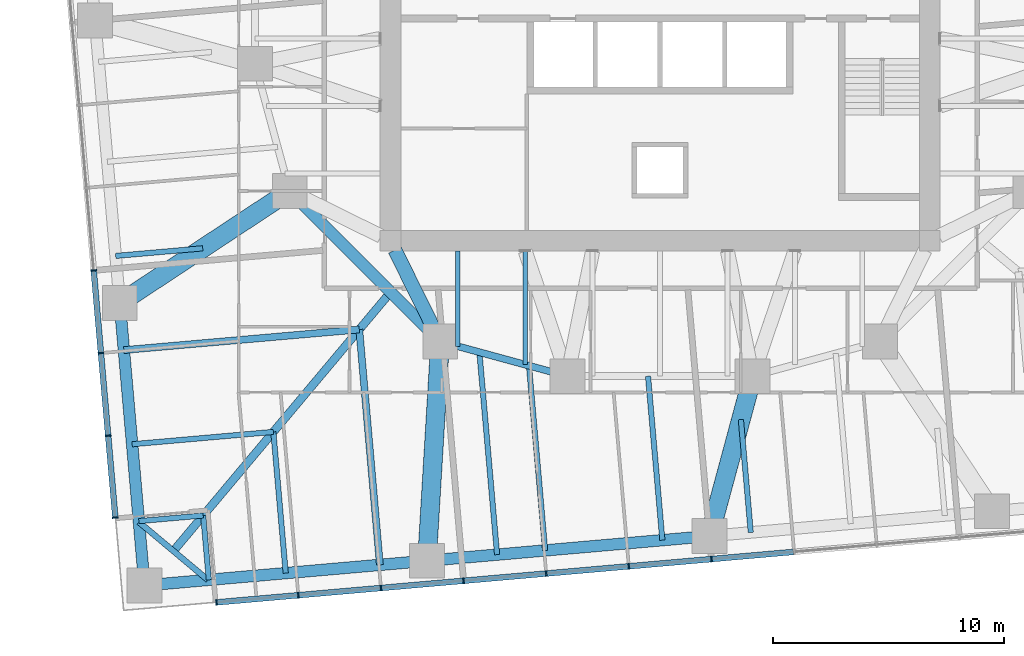
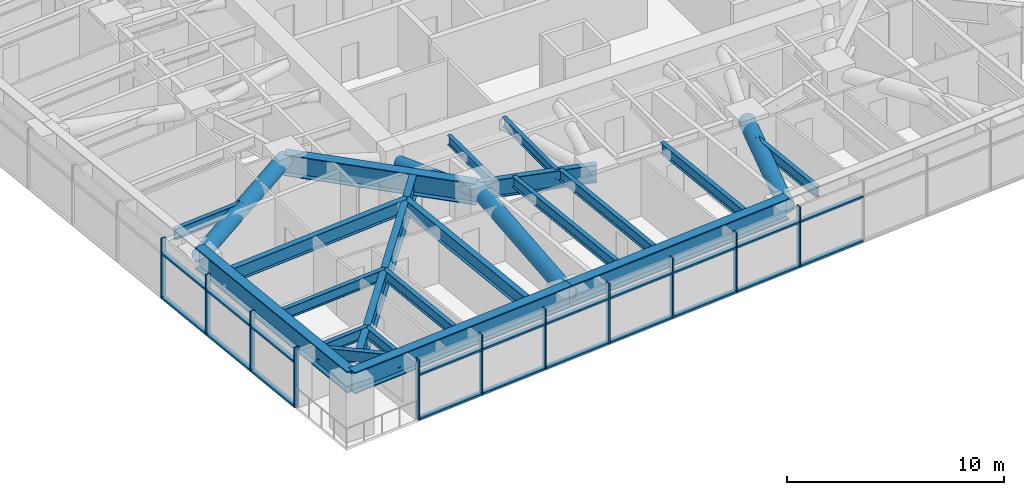
# One storey, part 2 of 18: 35 members, 20 beams, 2 elements without a shape of their own.
"""IFC4 building model written with IfcOpenShell, lengths in metres."""

from ifc_helpers import new_model, si_unit, direction, frame, origin, origin_2d, place, context, subcontext, project, spatial, rectangle, hollow_circle, i_section, extrude, material, material_profile, profile_set, type_object, element, aggregate, save


model = new_model("IFC4")

# Units and contexts
model_context = context("Model", 3, precision=1e-05, world=origin(), true_north=direction((0.0, 1.0)))
body_context = subcontext(model_context, "Body", "Model", "MODEL_VIEW")
ifc_project = project(units=[si_unit("LENGTHUNIT", "METRE"), si_unit("AREAUNIT", "SQUARE_METRE"), si_unit("VOLUMEUNIT", "CUBIC_METRE"), si_unit("PLANEANGLEUNIT", "RADIAN"), si_unit("MASSUNIT", "GRAM", prefix="KILO")], contexts=[model_context])

# Site, building, storey
site_placement = place(None, origin())
site = spatial("IfcSite", under=ifc_project, at=site_placement, CompositionType="ELEMENT")
building_placement = place(site_placement, origin())
building = spatial("IfcBuilding", under=site, at=building_placement, Name="Torsade Residences", CompositionType="ELEMENT")
storey_placement = place(building_placement, frame((0.0, 0.0, 71.0)))
storey = spatial("IfcBuildingStorey", under=building, at=storey_placement, Name="L19", CompositionType="ELEMENT", Elevation=71.0)

# Beams
ifc_material_1 = material(Name="Steel grade 300", Category="steel")
ifc_material_profile_1 = material_profile(ifc_material_1, i_section(OverallWidth=0.35009765625, OverallDepth=1.199951171875, WebThickness=0.01611328125, FlangeThickness=0.028076171875, at=origin_2d()), Name="1200WB278")
ifc_profile_set_1 = profile_set([ifc_material_profile_1], Name="Steel grade 300")
beam_type_1 = type_object("IfcBeamType", Name="CORNER GIRDER 1200WB278", PredefinedType="BEAM", material=ifc_profile_set_1)
beam_1_placement = place(storey_placement, frame((18.978515625, 4.947509765625, 2.60009765625), z_axis=(0.642785419012, 0.766046281307, 0.0), x_axis=(-0.766046281307, 0.642785419012, 0.0)))
element("IfcBeam", 1, at=beam_1_placement, inside=storey, type_object=beam_type_1, Name="Corner girder 01 L20", PredefinedType="BEAM", context=body_context, shape_type="SweptSolid", body=[
    extrude(i_section(OverallWidth=0.35009765625, OverallDepth=1.199951171875, WebThickness=0.01611328125, FlangeThickness=0.028076171875, at=origin_2d()), origin(), (0.0, 0.0, 1.0), 14.603515625),
])
ifc_material_2 = material(Name="Steel grade 300", Category="steel")
ifc_material_profile_2 = material_profile(ifc_material_2, i_section(OverallWidth=0.25, OverallDepth=0.699951171875, WebThickness=0.010009765625, FlangeThickness=0.02001953125, at=origin_2d()), Name="700WB130")
ifc_profile_set_2 = profile_set([ifc_material_profile_2], Name="Steel grade 300")
beam_type_2 = type_object("IfcBeamType", Name="CORNER TRIMMER 700WB130", PredefinedType="BEAM", material=ifc_profile_set_2)
beam_2_placement = place(storey_placement, frame((20.468017578125, 3.697509765625, 2.85009765625), z_axis=(-0.766030001697, 0.642804819911, 0.0), x_axis=(-0.642804819911, -0.766030001697, 0.0)))
element("IfcBeam", 2, at=beam_2_placement, inside=storey, type_object=beam_type_2, Name="Corner trimmer 01 L20", PredefinedType="BEAM", context=body_context, shape_type="SweptSolid", body=[
    extrude(i_section(OverallWidth=0.25, OverallDepth=0.699951171875, WebThickness=0.010009765625, FlangeThickness=0.02001953125, at=origin_2d()), origin(), (0.0, 0.0, 1.0), 3.88916015625),
])

# Curtain wall, members
ifc_material_3 = material(Name="Aluminium and glass", Category="aluminium")
curtain_wall_type = type_object("IfcCurtainWallType", Name="FRITTED GLASS CURTAIN WALL LOW ZONE", PredefinedType="NOTDEFINED", material=ifc_material_3)
curtain_wall_1_placement = place(storey_placement, origin())
curtain_wall_1 = element("IfcCurtainWall", 3, at=curtain_wall_1_placement, inside=storey, type_object=curtain_wall_type, Name="Curtain wall L19 face 1", PredefinedType="NOTDEFINED")
ifc_material_4 = material(Name="Aluminium mullion", Category="aluminium")
ifc_material_profile_3 = material_profile(ifc_material_4, rectangle(XDim=0.25, YDim=0.06494140625, at=origin_2d()), Name="CURTAIN WALL MULLION 250x65")
ifc_profile_set_3 = profile_set([ifc_material_profile_3], Name="Aluminium mullion")
member_type_1 = type_object("IfcMemberType", Name="CURTAIN WALL MULLION 250x65", PredefinedType="MULLION", material=ifc_profile_set_3)
member_1_placement = place(storey_placement, frame((20.836669921875, 2.72607421875, 0.0), z_axis=(0.0, 0.0, 1.0), x_axis=(-0.087155744208, 0.996194697964, 0.0)))
member_1 = element("IfcMember", 4, at=member_1_placement, type_object=member_type_1, Name="Mullion 1", PredefinedType="MULLION", context=body_context, shape_type="SweptSolid", body=[
    extrude(rectangle(XDim=0.25, YDim=0.06494140625, at=origin_2d()), origin(), (0.0, 0.0, 1.0), 3.39990234375),
])
member_2_placement = place(storey_placement, frame((24.3740234375, 3.035400390625, 0.0), z_axis=(0.0, 0.0, 1.0), x_axis=(-0.087155744208, 0.996194697964, 0.0)))
member_2 = element("IfcMember", 5, at=member_2_placement, type_object=member_type_1, Name="Mullion 2", PredefinedType="MULLION", context=body_context, shape_type="SweptSolid", body=[
    extrude(rectangle(XDim=0.25, YDim=0.06494140625, at=origin_2d()), origin(), (0.0, 0.0, 1.0), 3.39990234375),
])
member_3_placement = place(storey_placement, frame((27.943603515625, 3.347900390625, 0.0), z_axis=(0.0, 0.0, 1.0), x_axis=(-0.087155744208, 0.996194697964, 0.0)))
member_3 = element("IfcMember", 6, at=member_3_placement, type_object=member_type_1, Name="Mullion 3", PredefinedType="MULLION", context=body_context, shape_type="SweptSolid", body=[
    extrude(rectangle(XDim=0.25, YDim=0.06494140625, at=origin_2d()), origin(), (0.0, 0.0, 1.0), 3.39990234375),
])
member_4_placement = place(storey_placement, frame((31.513427734375, 3.66015625, 0.0), z_axis=(0.0, 0.0, 1.0), x_axis=(-0.087155744208, 0.996194697964, 0.0)))
member_4 = element("IfcMember", 7, at=member_4_placement, type_object=member_type_1, Name="Mullion 4", PredefinedType="MULLION", context=body_context, shape_type="SweptSolid", body=[
    extrude(rectangle(XDim=0.25, YDim=0.06494140625, at=origin_2d()), origin(), (0.0, 0.0, 1.0), 3.39990234375),
])
member_5_placement = place(storey_placement, frame((35.0830078125, 3.972412109375, 0.0), z_axis=(0.0, 0.0, 1.0), x_axis=(-0.087155744208, 0.996194697964, 0.0)))
member_5 = element("IfcMember", 8, at=member_5_placement, type_object=member_type_1, Name="Mullion 5", PredefinedType="MULLION", context=body_context, shape_type="SweptSolid", body=[
    extrude(rectangle(XDim=0.25, YDim=0.06494140625, at=origin_2d()), origin(), (0.0, 0.0, 1.0), 3.39990234375),
])
member_6_placement = place(storey_placement, frame((38.65283203125, 4.28466796875, 0.0), z_axis=(0.0, 0.0, 1.0), x_axis=(-0.087155744208, 0.996194697964, 0.0)))
member_6 = element("IfcMember", 9, at=member_6_placement, type_object=member_type_1, Name="Mullion 6", PredefinedType="MULLION", context=body_context, shape_type="SweptSolid", body=[
    extrude(rectangle(XDim=0.25, YDim=0.06494140625, at=origin_2d()), origin(), (0.0, 0.0, 1.0), 3.39990234375),
])
member_7_placement = place(storey_placement, frame((42.222412109375, 4.596923828125, 0.0), z_axis=(0.0, 0.0, 1.0), x_axis=(-0.087155744208, 0.996194697964, 0.0)))
member_7 = element("IfcMember", 10, at=member_7_placement, type_object=member_type_1, Name="Mullion 7", PredefinedType="MULLION", context=body_context, shape_type="SweptSolid", body=[
    extrude(rectangle(XDim=0.25, YDim=0.06494140625, at=origin_2d()), origin(), (0.0, 0.0, 1.0), 3.39990234375),
])

curtain_wall_2_placement = place(storey_placement, origin())
curtain_wall_2 = element("IfcCurtainWall", 11, at=curtain_wall_2_placement, inside=storey, type_object=curtain_wall_type, Name="Curtain wall L19 face 10", PredefinedType="NOTDEFINED")
member_8_placement = place(storey_placement, frame((15.533935546875, 17.068359375, 0.0), z_axis=(0.0, 0.0, 1.0), x_axis=(0.996194697964, 0.087155744208, 0.0)))
member_8 = element("IfcMember", 12, at=member_8_placement, type_object=member_type_1, Name="Mullion 10", PredefinedType="MULLION", context=body_context, shape_type="SweptSolid", body=[
    extrude(rectangle(XDim=0.25, YDim=0.06494140625, at=origin_2d()), origin(), (0.0, 0.0, 1.0), 3.39990234375),
])
member_9_placement = place(storey_placement, frame((15.84619140625, 13.498779296875, 0.0), z_axis=(0.0, 0.0, 1.0), x_axis=(0.996194697964, 0.087155744208, 0.0)))
member_9 = element("IfcMember", 13, at=member_9_placement, type_object=member_type_1, Name="Mullion 11", PredefinedType="MULLION", context=body_context, shape_type="SweptSolid", body=[
    extrude(rectangle(XDim=0.25, YDim=0.06494140625, at=origin_2d()), origin(), (0.0, 0.0, 1.0), 3.39990234375),
])
member_10_placement = place(storey_placement, frame((16.15869140625, 9.928955078125, 0.0), z_axis=(0.0, 0.0, 1.0), x_axis=(0.996194697964, 0.087155744208, 0.0)))
member_10 = element("IfcMember", 14, at=member_10_placement, type_object=member_type_1, Name="Mullion 12", PredefinedType="MULLION", context=body_context, shape_type="SweptSolid", body=[
    extrude(rectangle(XDim=0.25, YDim=0.06494140625, at=origin_2d()), origin(), (0.0, 0.0, 1.0), 3.39990234375),
])
member_11_placement = place(storey_placement, frame((16.468017578125, 6.3916015625, 0.0), z_axis=(0.0, 0.0, 1.0), x_axis=(0.996194697964, 0.087155744208, 0.0)))
member_11 = element("IfcMember", 15, at=member_11_placement, type_object=member_type_1, Name="Mullion 13", PredefinedType="MULLION", context=body_context, shape_type="SweptSolid", body=[
    extrude(rectangle(XDim=0.25, YDim=0.06494140625, at=origin_2d()), origin(), (0.0, 0.0, 1.0), 3.39990234375),
])

# Member
ifc_material_5 = material(Name="Aluminium transom", Category="aluminium")
ifc_material_profile_4 = material_profile(ifc_material_5, rectangle(XDim=0.25, YDim=0.10009765625, at=origin_2d()), Name="CURTAIN WALL TRANSOM 250x100")
ifc_profile_set_4 = profile_set([ifc_material_profile_4], Name="Aluminium transom")
member_type_2 = type_object("IfcMemberType", Name="CURTAIN WALL TRANSOM 250x100", PredefinedType="USERDEFINED", material=ifc_profile_set_4)
member_12_placement = place(storey_placement, frame((20.869140625, 2.728759765625, 0.050048828125), z_axis=(0.996190751941, 0.0872008357, 0.0), x_axis=(-0.0872008357, 0.996190751941, 0.0)))
member_12 = element("IfcMember", 16, at=member_12_placement, type_object=member_type_2, Name="Transom 1.1", ObjectType="TRANSOM", PredefinedType="USERDEFINED", context=body_context, shape_type="SweptSolid", body=[
    extrude(rectangle(XDim=0.25, YDim=0.10009765625, at=origin_2d()), origin(), (0.0, 0.0, 1.0), 3.485595703125),
])

member_13_placement = place(storey_placement, frame((20.869140625, 2.728759765625, 2.550048828125), z_axis=(0.996190751941, 0.0872008357, 0.0), x_axis=(-0.0872008357, 0.996190751941, 0.0)))
member_13 = element("IfcMember", 17, at=member_13_placement, type_object=member_type_2, Name="Transom 1.2", ObjectType="TRANSOM", PredefinedType="USERDEFINED", context=body_context, shape_type="SweptSolid", body=[
    extrude(rectangle(XDim=0.25, YDim=0.10009765625, at=origin_2d()), origin(), (0.0, 0.0, 1.0), 3.485595703125),
])

member_14_placement = place(storey_placement, frame((24.40625, 3.038330078125, 0.050048828125), z_axis=(0.996195148363, 0.08715059597, 0.0), x_axis=(-0.08715059597, 0.996195148363, 0.0)))
member_14 = element("IfcMember", 18, at=member_14_placement, type_object=member_type_2, Name="Transom 2.1", ObjectType="TRANSOM", PredefinedType="USERDEFINED", context=body_context, shape_type="SweptSolid", body=[
    extrude(rectangle(XDim=0.25, YDim=0.10009765625, at=origin_2d()), origin(), (0.0, 0.0, 1.0), 3.5185546875),
])

member_15_placement = place(storey_placement, frame((24.40625, 3.038330078125, 2.550048828125), z_axis=(0.996195148363, 0.08715059597, 0.0), x_axis=(-0.08715059597, 0.996195148363, 0.0)))
member_15 = element("IfcMember", 19, at=member_15_placement, type_object=member_type_2, Name="Transom 2.2", ObjectType="TRANSOM", PredefinedType="USERDEFINED", context=body_context, shape_type="SweptSolid", body=[
    extrude(rectangle(XDim=0.25, YDim=0.10009765625, at=origin_2d()), origin(), (0.0, 0.0, 1.0), 3.5185546875),
])

member_16_placement = place(storey_placement, frame((27.97607421875, 3.3505859375, 0.050048828125), z_axis=(0.996194621295, 0.087156620531, 0.0), x_axis=(-0.087156620531, 0.996194621295, 0.0)))
member_16 = element("IfcMember", 20, at=member_16_placement, type_object=member_type_2, Name="Transom 3.1", ObjectType="TRANSOM", PredefinedType="USERDEFINED", context=body_context, shape_type="SweptSolid", body=[
    extrude(rectangle(XDim=0.25, YDim=0.10009765625, at=origin_2d()), origin(), (0.0, 0.0, 1.0), 3.518310546875),
])

member_17_placement = place(storey_placement, frame((27.97607421875, 3.3505859375, 2.550048828125), z_axis=(0.996194621295, 0.087156620531, 0.0), x_axis=(-0.087156620531, 0.996194621295, 0.0)))
member_17 = element("IfcMember", 21, at=member_17_placement, type_object=member_type_2, Name="Transom 3.2", ObjectType="TRANSOM", PredefinedType="USERDEFINED", context=body_context, shape_type="SweptSolid", body=[
    extrude(rectangle(XDim=0.25, YDim=0.10009765625, at=origin_2d()), origin(), (0.0, 0.0, 1.0), 3.518310546875),
])

member_18_placement = place(storey_placement, frame((31.545654296875, 3.662841796875, 0.050048828125), z_axis=(0.996195148363, 0.08715059597, 0.0), x_axis=(-0.08715059597, 0.996195148363, 0.0)))
member_18 = element("IfcMember", 22, at=member_18_placement, type_object=member_type_2, Name="Transom 4.1", ObjectType="TRANSOM", PredefinedType="USERDEFINED", context=body_context, shape_type="SweptSolid", body=[
    extrude(rectangle(XDim=0.25, YDim=0.10009765625, at=origin_2d()), origin(), (0.0, 0.0, 1.0), 3.5185546875),
])

member_19_placement = place(storey_placement, frame((31.545654296875, 3.662841796875, 2.550048828125), z_axis=(0.996195148363, 0.08715059597, 0.0), x_axis=(-0.08715059597, 0.996195148363, 0.0)))
member_19 = element("IfcMember", 23, at=member_19_placement, type_object=member_type_2, Name="Transom 4.2", ObjectType="TRANSOM", PredefinedType="USERDEFINED", context=body_context, shape_type="SweptSolid", body=[
    extrude(rectangle(XDim=0.25, YDim=0.10009765625, at=origin_2d()), origin(), (0.0, 0.0, 1.0), 3.5185546875),
])

member_20_placement = place(storey_placement, frame((35.115478515625, 3.975341796875, 0.050048828125), z_axis=(0.996194621295, 0.087156620531, 0.0), x_axis=(-0.087156620531, 0.996194621295, 0.0)))
member_20 = element("IfcMember", 24, at=member_20_placement, type_object=member_type_2, Name="Transom 5.1", ObjectType="TRANSOM", PredefinedType="USERDEFINED", context=body_context, shape_type="SweptSolid", body=[
    extrude(rectangle(XDim=0.25, YDim=0.10009765625, at=origin_2d()), origin(), (0.0, 0.0, 1.0), 3.518310546875),
])

member_21_placement = place(storey_placement, frame((35.115478515625, 3.975341796875, 2.550048828125), z_axis=(0.996194621295, 0.087156620531, 0.0), x_axis=(-0.087156620531, 0.996194621295, 0.0)))
member_21 = element("IfcMember", 25, at=member_21_placement, type_object=member_type_2, Name="Transom 5.2", ObjectType="TRANSOM", PredefinedType="USERDEFINED", context=body_context, shape_type="SweptSolid", body=[
    extrude(rectangle(XDim=0.25, YDim=0.10009765625, at=origin_2d()), origin(), (0.0, 0.0, 1.0), 3.518310546875),
])

member_22_placement = place(storey_placement, frame((38.68505859375, 4.28759765625, 0.050048828125), z_axis=(0.996195148363, 0.08715059597, 0.0), x_axis=(-0.08715059597, 0.996195148363, 0.0)))
member_22 = element("IfcMember", 26, at=member_22_placement, type_object=member_type_2, Name="Transom 6.1", ObjectType="TRANSOM", PredefinedType="USERDEFINED", context=body_context, shape_type="SweptSolid", body=[
    extrude(rectangle(XDim=0.25, YDim=0.10009765625, at=origin_2d()), origin(), (0.0, 0.0, 1.0), 3.5185546875),
])

member_23_placement = place(storey_placement, frame((38.68505859375, 4.28759765625, 2.550048828125), z_axis=(0.996195148363, 0.08715059597, 0.0), x_axis=(-0.08715059597, 0.996195148363, 0.0)))
member_23 = element("IfcMember", 27, at=member_23_placement, type_object=member_type_2, Name="Transom 6.2", ObjectType="TRANSOM", PredefinedType="USERDEFINED", context=body_context, shape_type="SweptSolid", body=[
    extrude(rectangle(XDim=0.25, YDim=0.10009765625, at=origin_2d()), origin(), (0.0, 0.0, 1.0), 3.5185546875),
])

member_24_placement = place(storey_placement, frame((42.2548828125, 4.599853515625, 0.050048828125), z_axis=(0.996194621295, 0.087156620531, 0.0), x_axis=(-0.087156620531, 0.996194621295, 0.0)))
member_24 = element("IfcMember", 28, at=member_24_placement, type_object=member_type_2, Name="Transom 7.1", ObjectType="TRANSOM", PredefinedType="USERDEFINED", context=body_context, shape_type="SweptSolid", body=[
    extrude(rectangle(XDim=0.25, YDim=0.10009765625, at=origin_2d()), origin(), (0.0, 0.0, 1.0), 3.518310546875),
])

member_25_placement = place(storey_placement, frame((42.2548828125, 4.599853515625, 2.550048828125), z_axis=(0.996194621295, 0.087156620531, 0.0), x_axis=(-0.087156620531, 0.996194621295, 0.0)))
member_25 = element("IfcMember", 29, at=member_25_placement, type_object=member_type_2, Name="Transom 7.2", ObjectType="TRANSOM", PredefinedType="USERDEFINED", context=body_context, shape_type="SweptSolid", body=[
    extrude(rectangle(XDim=0.25, YDim=0.10009765625, at=origin_2d()), origin(), (0.0, 0.0, 1.0), 3.518310546875),
])

aggregate(curtain_wall_1, [member_1, member_2, member_3, member_4, member_5, member_6, member_7, member_12, member_13, member_14, member_15, member_16, member_17, member_18, member_19, member_20, member_21, member_22, member_23, member_24, member_25])

member_26_placement = place(storey_placement, frame((15.536865234375, 17.0361328125, 0.050048828125), z_axis=(0.08715059597, -0.996195148363, 0.0), x_axis=(0.996195148363, 0.08715059597, 0.0)))
member_26 = element("IfcMember", 30, at=member_26_placement, type_object=member_type_2, Name="Transom 10.1", ObjectType="TRANSOM", PredefinedType="USERDEFINED", context=body_context, shape_type="SweptSolid", body=[
    extrude(rectangle(XDim=0.25, YDim=0.10009765625, at=origin_2d()), origin(), (0.0, 0.0, 1.0), 3.5185546875),
])

member_27_placement = place(storey_placement, frame((15.536865234375, 17.0361328125, 2.550048828125), z_axis=(0.08715059597, -0.996195148363, 0.0), x_axis=(0.996195148363, 0.08715059597, 0.0)))
member_27 = element("IfcMember", 31, at=member_27_placement, type_object=member_type_2, Name="Transom 10.2", ObjectType="TRANSOM", PredefinedType="USERDEFINED", context=body_context, shape_type="SweptSolid", body=[
    extrude(rectangle(XDim=0.25, YDim=0.10009765625, at=origin_2d()), origin(), (0.0, 0.0, 1.0), 3.5185546875),
])

member_28_placement = place(storey_placement, frame((15.84912109375, 13.46630859375, 0.050048828125), z_axis=(0.087156620531, -0.996194621295, 0.0), x_axis=(0.996194621295, 0.087156620531, 0.0)))
member_28 = element("IfcMember", 32, at=member_28_placement, type_object=member_type_2, Name="Transom 11.1", ObjectType="TRANSOM", PredefinedType="USERDEFINED", context=body_context, shape_type="SweptSolid", body=[
    extrude(rectangle(XDim=0.25, YDim=0.10009765625, at=origin_2d()), origin(), (0.0, 0.0, 1.0), 3.518310546875),
])

member_29_placement = place(storey_placement, frame((15.84912109375, 13.46630859375, 2.550048828125), z_axis=(0.087156620531, -0.996194621295, 0.0), x_axis=(0.996194621295, 0.087156620531, 0.0)))
member_29 = element("IfcMember", 33, at=member_29_placement, type_object=member_type_2, Name="Transom 11.2", ObjectType="TRANSOM", PredefinedType="USERDEFINED", context=body_context, shape_type="SweptSolid", body=[
    extrude(rectangle(XDim=0.25, YDim=0.10009765625, at=origin_2d()), origin(), (0.0, 0.0, 1.0), 3.518310546875),
])

member_30_placement = place(storey_placement, frame((16.161376953125, 9.896728515625, 0.050048828125), z_axis=(0.08719475177, -0.996191284475, 0.0), x_axis=(0.996191284475, 0.08719475177, 0.0)))
member_30 = element("IfcMember", 34, at=member_30_placement, type_object=member_type_2, Name="Transom 12.1", ObjectType="TRANSOM", PredefinedType="USERDEFINED", context=body_context, shape_type="SweptSolid", body=[
    extrude(rectangle(XDim=0.25, YDim=0.10009765625, at=origin_2d()), origin(), (0.0, 0.0, 1.0), 3.48583984375),
])

member_31_placement = place(storey_placement, frame((16.161376953125, 9.896728515625, 2.550048828125), z_axis=(0.08719475177, -0.996191284475, 0.0), x_axis=(0.996191284475, 0.08719475177, 0.0)))
member_31 = element("IfcMember", 35, at=member_31_placement, type_object=member_type_2, Name="Transom 12.2", ObjectType="TRANSOM", PredefinedType="USERDEFINED", context=body_context, shape_type="SweptSolid", body=[
    extrude(rectangle(XDim=0.25, YDim=0.10009765625, at=origin_2d()), origin(), (0.0, 0.0, 1.0), 3.48583984375),
])

aggregate(curtain_wall_2, [member_8, member_9, member_10, member_11, member_26, member_27, member_28, member_29, member_30, member_31])

# Beams
ifc_material_6 = material(Name="Steel grade 300", Category="steel")
ifc_material_profile_5 = material_profile(ifc_material_6, i_section(OverallWidth=0.208984375, OverallDepth=0.528076171875, WebThickness=0.009521484375, FlangeThickness=0.01318359375, FilletRadius=0.013916015625, at=origin_2d()), Name="530UB82.0")
ifc_profile_set_5 = profile_set([ifc_material_profile_5], Name="Steel grade 300")
beam_type_3 = type_object("IfcBeamType", Name="INNER FLOOR BEAM 530UB82.0", PredefinedType="JOIST", material=ifc_profile_set_5)
beam_3_placement = place(storey_placement, frame((34.175048828125, 17.89990234375, 2.93603515625), z_axis=(0.0, -1.0, 0.0), x_axis=(1.0, 0.0, 0.0)))
element("IfcBeam", 36, at=beam_3_placement, inside=storey, type_object=beam_type_3, Name="Inner floor beam IS06 L20", PredefinedType="JOIST", context=body_context, shape_type="SweptSolid", body=[
    extrude(i_section(OverallWidth=0.208984375, OverallDepth=0.528076171875, WebThickness=0.009521484375, FlangeThickness=0.01318359375, FilletRadius=0.013916015625, at=origin_2d()), origin(), (0.0, 0.0, 1.0), 4.902099609375),
])
beam_4_placement = place(storey_placement, frame((31.262451171875, 17.89990234375, 2.93603515625), z_axis=(0.0, -1.0, 0.0), x_axis=(1.0, 0.0, 0.0)))
element("IfcBeam", 37, at=beam_4_placement, inside=storey, type_object=beam_type_3, Name="Inner floor beam IS07 L20", PredefinedType="JOIST", context=body_context, shape_type="SweptSolid", body=[
    extrude(i_section(OverallWidth=0.208984375, OverallDepth=0.528076171875, WebThickness=0.009521484375, FlangeThickness=0.01318359375, FilletRadius=0.013916015625, at=origin_2d()), origin(), (0.0, 0.0, 1.0), 4.10791015625),
])
ifc_material_7 = material(Name="Steel grade 300", Category="steel")
ifc_material_profile_6 = material_profile(ifc_material_7, i_section(OverallWidth=0.5, OverallDepth=1.199951171875, WebThickness=0.01611328125, FlangeThickness=0.0400390625, at=origin_2d()), Name="1200WB455")
ifc_profile_set_6 = profile_set([ifc_material_profile_6], Name="Steel grade 300")
beam_type_4 = type_object("IfcBeamType", Name="RING CORNER GIRDER 1200WB455", PredefinedType="BEAM", material=ifc_profile_set_6)
beam_5_placement = place(storey_placement, frame((24.0, 20.5, 2.60009765625), z_axis=(0.707106781187, -0.707106781187, 0.0), x_axis=(0.707106781187, 0.707106781187, 0.0)))
element("IfcBeam", 38, at=beam_5_placement, inside=storey, type_object=beam_type_4, Name="Ring girder IR11 L20", PredefinedType="BEAM", context=body_context, shape_type="SweptSolid", body=[
    extrude(i_section(OverallWidth=0.5, OverallDepth=1.199951171875, WebThickness=0.01611328125, FlangeThickness=0.0400390625, at=origin_2d()), origin(), (0.0, 0.0, 1.0), 9.1923828125),
])
ifc_material_8 = material(Name="Steel grade 300", Category="steel")
ifc_material_profile_7 = material_profile(ifc_material_8, i_section(OverallWidth=0.300048828125, OverallDepth=1.0, WebThickness=0.01611328125, FlangeThickness=0.028076171875, at=origin_2d()), Name="1000WB215")
ifc_profile_set_7 = profile_set([ifc_material_profile_7], Name="Steel grade 300")
beam_type_5 = type_object("IfcBeamType", Name="RING GIRDER 1000WB215", PredefinedType="BEAM", material=ifc_profile_set_7)
beam_6_placement = place(storey_placement, frame((30.5, 14.0, 2.699951171875), z_axis=(0.964763821238, -0.263117405792, 0.0), x_axis=(0.263117405792, 0.964763821238, 0.0)))
element("IfcBeam", 39, at=beam_6_placement, inside=storey, type_object=beam_type_5, Name="Ring girder IR12 L20", PredefinedType="BEAM", context=body_context, shape_type="SweptSolid", body=[
    extrude(i_section(OverallWidth=0.300048828125, OverallDepth=1.0, WebThickness=0.01611328125, FlangeThickness=0.028076171875, at=origin_2d()), origin(), (0.0, 0.0, 1.0), 5.700927734375),
])
ifc_material_9 = material(Name="Steel grade 300", Category="steel")
ifc_material_profile_8 = material_profile(ifc_material_9, i_section(OverallWidth=0.22900390625, OverallDepth=0.612060546875, WebThickness=0.011962890625, FlangeThickness=0.01953125, FilletRadius=0.013916015625, at=origin_2d()), Name="610UB125")
ifc_profile_set_8 = profile_set([ifc_material_profile_8], Name="Steel grade 300")
beam_type_6 = type_object("IfcBeamType", Name="SECONDARY BEAM 610UB125", PredefinedType="JOIST", material=ifc_profile_set_8)
beam_7_placement = place(storey_placement, frame((20.509521484375, 3.701171875, 2.89404296875), z_axis=(-0.087105111923, 0.996199126418, 0.0), x_axis=(-0.996199126418, -0.087105111923, 0.0)))
element("IfcBeam", 40, at=beam_7_placement, inside=storey, type_object=beam_type_6, Name="Floor beam FS01 L20", PredefinedType="JOIST", context=body_context, shape_type="SweptSolid", body=[
    extrude(i_section(OverallWidth=0.22900390625, OverallDepth=0.612060546875, WebThickness=0.011962890625, FlangeThickness=0.01953125, FilletRadius=0.013916015625, at=origin_2d()), origin(), (0.0, 0.0, 1.0), 2.79150390625),
])
beam_8_placement = place(storey_placement, frame((23.830322265625, 3.99169921875, 2.89404296875), z_axis=(-0.087171400335, 0.996193328106, 0.0), x_axis=(-0.996193328106, -0.087171400335, 0.0)))
element("IfcBeam", 41, at=beam_8_placement, inside=storey, type_object=beam_type_6, Name="Floor beam FS02 L20", PredefinedType="JOIST", context=body_context, shape_type="SweptSolid", body=[
    extrude(i_section(OverallWidth=0.22900390625, OverallDepth=0.612060546875, WebThickness=0.011962890625, FlangeThickness=0.01953125, FilletRadius=0.013916015625, at=origin_2d()), origin(), (0.0, 0.0, 1.0), 6.125244140625),
])
beam_9_placement = place(storey_placement, frame((32.9619140625, 4.790771484375, 2.89404296875), z_axis=(-0.087145563964, 0.996195588568, 0.0), x_axis=(-0.996195588568, -0.087145563964, 0.0)))
element("IfcBeam", 42, at=beam_9_placement, inside=storey, type_object=beam_type_6, Name="Floor beam FS04 L20", PredefinedType="JOIST", context=body_context, shape_type="SweptSolid", body=[
    extrude(i_section(OverallWidth=0.22900390625, OverallDepth=0.612060546875, WebThickness=0.011962890625, FlangeThickness=0.01953125, FilletRadius=0.013916015625, at=origin_2d()), origin(), (0.0, 0.0, 1.0), 8.780029296875),
])
beam_10_placement = place(storey_placement, frame((35.037353515625, 4.97216796875, 2.89404296875), z_axis=(-0.087158255311, 0.996194478268, 0.0), x_axis=(-0.996194478268, -0.087158255311, 0.0)))
element("IfcBeam", 43, at=beam_10_placement, inside=storey, type_object=beam_type_6, Name="Floor beam FS05 L20", PredefinedType="JOIST", context=body_context, shape_type="SweptSolid", body=[
    extrude(i_section(OverallWidth=0.22900390625, OverallDepth=0.612060546875, WebThickness=0.011962890625, FlangeThickness=0.01953125, FilletRadius=0.013916015625, at=origin_2d()), origin(), (0.0, 0.0, 1.0), 8.01123046875),
])
beam_11_placement = place(storey_placement, frame((40.101318359375, 5.415283203125, 2.89404296875), z_axis=(-0.087127345813, 0.996197182094, 0.0), x_axis=(-0.996197182094, -0.087127345813, 0.0)))
element("IfcBeam", 44, at=beam_11_placement, inside=storey, type_object=beam_type_6, Name="Floor beam FS06 L20", PredefinedType="JOIST", context=body_context, shape_type="SweptSolid", body=[
    extrude(i_section(OverallWidth=0.22900390625, OverallDepth=0.612060546875, WebThickness=0.011962890625, FlangeThickness=0.01953125, FilletRadius=0.013916015625, at=origin_2d()), origin(), (0.0, 0.0, 1.0), 7.11181640625),
])
beam_12_placement = place(storey_placement, frame((43.920166015625, 5.749267578125, 2.89404296875), z_axis=(-0.087152716714, 0.996194962831, 0.0), x_axis=(-0.996194962831, -0.087152716714, 0.0)))
element("IfcBeam", 45, at=beam_12_placement, inside=storey, type_object=beam_type_6, Name="Floor beam FS07 L20", PredefinedType="JOIST", context=body_context, shape_type="SweptSolid", body=[
    extrude(i_section(OverallWidth=0.22900390625, OverallDepth=0.612060546875, WebThickness=0.011962890625, FlangeThickness=0.01953125, FilletRadius=0.013916015625, at=origin_2d()), origin(), (0.0, 0.0, 1.0), 4.893798828125),
])
beam_13_placement = place(storey_placement, frame((16.48291015625, 17.6953125, 2.89404296875), z_axis=(0.996195822288, 0.087142892177, 0.0), x_axis=(-0.087142892177, 0.996195822288, 0.0)))
element("IfcBeam", 46, at=beam_13_placement, inside=storey, type_object=beam_type_6, Name="Floor beam FW09 L20", PredefinedType="JOIST", context=body_context, shape_type="SweptSolid", body=[
    extrude(i_section(OverallWidth=0.22900390625, OverallDepth=0.612060546875, WebThickness=0.011962890625, FlangeThickness=0.01953125, FilletRadius=0.013916015625, at=origin_2d()), origin(), (0.0, 0.0, 1.0), 3.776611328125),
])
beam_14_placement = place(storey_placement, frame((17.19482421875, 9.5595703125, 2.89404296875), z_axis=(0.996193025206, 0.087174861801, 0.0), x_axis=(-0.087174861801, 0.996193025206, 0.0)))
element("IfcBeam", 47, at=beam_14_placement, inside=storey, type_object=beam_type_6, Name="Floor beam FW11 L20", PredefinedType="JOIST", context=body_context, shape_type="SweptSolid", body=[
    extrude(i_section(OverallWidth=0.22900390625, OverallDepth=0.612060546875, WebThickness=0.011962890625, FlangeThickness=0.01953125, FilletRadius=0.013916015625, at=origin_2d()), origin(), (0.0, 0.0, 1.0), 6.125),
])
beam_15_placement = place(storey_placement, frame((17.4853515625, 6.239013671875, 2.89404296875), z_axis=(0.996199126418, 0.087105111923, 0.0), x_axis=(-0.087105111923, 0.996199126418, 0.0)))
element("IfcBeam", 48, at=beam_15_placement, inside=storey, type_object=beam_type_6, Name="Floor beam FW12 L20", PredefinedType="JOIST", context=body_context, shape_type="SweptSolid", body=[
    extrude(i_section(OverallWidth=0.22900390625, OverallDepth=0.612060546875, WebThickness=0.011962890625, FlangeThickness=0.01953125, FilletRadius=0.013916015625, at=origin_2d()), origin(), (0.0, 0.0, 1.0), 2.79150390625),
])
ifc_material_10 = material(Name="Steel grade 300", Category="steel")
ifc_material_profile_9 = material_profile(ifc_material_10, i_section(OverallWidth=0.300048828125, OverallDepth=0.800048828125, WebThickness=0.010009765625, FlangeThickness=0.02001953125, at=origin_2d()), Name="800WB146")
ifc_profile_set_9 = profile_set([ifc_material_profile_9], Name="Steel grade 300")
beam_type_7 = type_object("IfcBeamType", Name="SECONDARY BEAM 800WB146", PredefinedType="JOIST", material=ifc_profile_set_9)
for number, where, z_axis, x_axis, name in (
    (49, (27.89794921875, 4.34765625, 2.800048828125), (-0.087149742944, 0.996195222988, 0.0), (-0.996195222988, -0.087149742944, 0.0), "Floor beam FS03 L20"),
    (50, (16.8388671875, 13.62744140625, 2.800048828125), (0.996195222988, 0.087149742944, 0.0), (-0.087149742944, 0.996195222988, 0.0), "Floor beam FW10 L20"),
):
    element("IfcBeam", number, at=place(storey_placement, frame(where, z_axis=z_axis, x_axis=x_axis)), inside=storey, type_object=beam_type_7, Name=name, PredefinedType="JOIST", context=body_context, shape_type="SweptSolid", body=[
        extrude(i_section(OverallWidth=0.300048828125, OverallDepth=0.800048828125, WebThickness=0.010009765625, FlangeThickness=0.02001953125, at=origin_2d()), origin(), (0.0, 0.0, 1.0), 10.208251953125),
    ])

# Members
ifc_material_11 = material(Name="Steel grade 450", Category="steel")
ifc_material_profile_10 = material_profile(ifc_material_11, hollow_circle(Radius=0.304931640625, WallThickness=0.01611328125, at=origin_2d()), Name="610.0x16.0CHS")
ifc_profile_set_10 = profile_set([ifc_material_profile_10], Name="Steel grade 450")
member_type_3 = type_object("IfcMemberType", Name="TRANSFER FLOOR BRACE 610.0x16.0CHS", PredefinedType="BRACE", material=ifc_profile_set_10)
member_32_placement = place(storey_placement, frame((30.5, 14.0, 2.60009765625), z_axis=(-0.443105036702, 0.896469701914, 0.0), x_axis=(-0.896469701914, -0.443105036702, 0.0)))
element("IfcMember", 51, at=member_32_placement, inside=storey, type_object=member_type_3, Name="Transfer floor brace TT2 bottom IR12C", PredefinedType="BRACE", context=body_context, shape_type="SweptSolid", body=[
    extrude(hollow_circle(Radius=0.304931640625, WallThickness=0.01611328125, at=origin_2d()), origin(), (0.0, 0.0, 1.0), 4.40234375),
])
ifc_material_12 = material(Name="Steel grade 450", Category="steel")
ifc_material_profile_11 = material_profile(ifc_material_12, hollow_circle(Radius=0.406494140625, WallThickness=0.02490234375, at=origin_2d()), Name="813.0x25.0CHS")
ifc_profile_set_11 = profile_set([ifc_material_profile_11], Name="Steel grade 450")
member_type_4 = type_object("IfcMemberType", Name="TRANSFER FLOOR STRUT 813.0x25.0CHS", PredefinedType="STRUT", material=ifc_profile_set_11)
member_33_placement = place(storey_placement, frame((29.931884765625, 4.525634765625, 2.800048828125), z_axis=(0.05985589598, 0.998207028485, 0.0), x_axis=(-0.998207028485, 0.05985589598, 0.0)))
element("IfcMember", 52, at=member_33_placement, inside=storey, type_object=member_type_4, Name="Transfer floor strut TT2 bottom 02IR12", PredefinedType="STRUT", context=body_context, shape_type="SweptSolid", body=[
    extrude(hollow_circle(Radius=0.406494140625, WallThickness=0.02490234375, at=origin_2d()), origin(), (0.0, 0.0, 1.0), 9.491455078125),
])
member_34_placement = place(storey_placement, frame((42.13525390625, 5.59326171875, 2.800048828125), z_axis=(0.260656310032, 0.965431658918, 0.0), x_axis=(-0.965431658918, 0.260656310032, 0.0)))
element("IfcMember", 53, at=member_34_placement, inside=storey, type_object=member_type_4, Name="Transfer floor strut TT2 bottom 03IR14", PredefinedType="STRUT", context=body_context, shape_type="SweptSolid", body=[
    extrude(hollow_circle(Radius=0.406494140625, WallThickness=0.02490234375, at=origin_2d()), origin(), (0.0, 0.0, 1.0), 7.154052734375),
])
member_35_placement = place(storey_placement, frame((16.660888671875, 15.661376953125, 2.800048828125), z_axis=(0.8348807583, 0.550430848899, 0.0), x_axis=(-0.550430848899, 0.8348807583, 0.0)))
element("IfcMember", 54, at=member_35_placement, inside=storey, type_object=member_type_4, Name="Transfer floor strut TT2 bottom 16IR11", PredefinedType="STRUT", context=body_context, shape_type="SweptSolid", body=[
    extrude(hollow_circle(Radius=0.406494140625, WallThickness=0.02490234375, at=origin_2d()), origin(), (0.0, 0.0, 1.0), 8.79052734375),
])

# Beams
ifc_material_13 = material(Name="Steel grade 350", Category="steel")
ifc_material_profile_12 = material_profile(ifc_material_13, i_section(OverallWidth=0.5, OverallDepth=1.199951171875, WebThickness=0.035888671875, FlangeThickness=0.06005859375, at=origin_2d()), Name="1200x500x60x36WPG")
ifc_profile_set_12 = profile_set([ifc_material_profile_12], Name="Steel grade 350")
beam_type_8 = type_object("IfcBeamType", Name="TRANSFER TRUSS CHORD 1200x500x60x36WPG", PredefinedType="USERDEFINED", material=ifc_profile_set_12)
for number, where, z_axis, x_axis, name in (
    (55, (17.728515625, 3.4580078125, 2.800048828125), (0.996194907201, 0.08715335259, 0.0), (-0.08715335259, 0.996194907201, 0.0), "Transfer truss TT2 bottom chord 01"),
    (56, (29.931884765625, 4.525634765625, 2.800048828125), (0.996194907201, 0.08715335259, 0.0), (-0.08715335259, 0.996194907201, 0.0), "Transfer truss TT2 bottom chord 02"),
    (57, (16.660888671875, 15.661376953125, 2.800048828125), (0.08715335259, -0.996194907201, 0.0), (0.996194907201, 0.08715335259, 0.0), "Transfer truss TT2 bottom chord 16"),
):
    element("IfcBeam", number, at=place(storey_placement, frame(where, z_axis=z_axis, x_axis=x_axis)), inside=storey, type_object=beam_type_8, Name=name, ObjectType="TRANSFER TRUSS CHORD", PredefinedType="USERDEFINED", context=body_context, shape_type="SweptSolid", body=[
        extrude(i_section(OverallWidth=0.5, OverallDepth=1.199951171875, WebThickness=0.035888671875, FlangeThickness=0.06005859375, at=origin_2d()), origin(), (0.0, 0.0, 1.0), 12.25),
    ])

save(model, "model.ifc")
